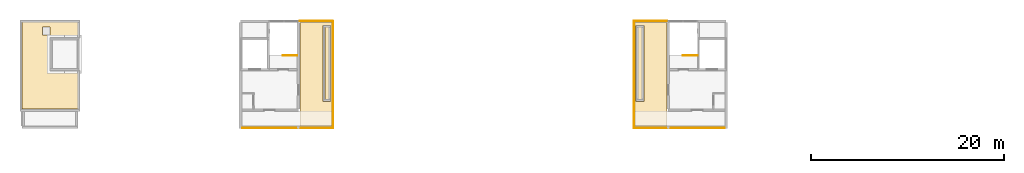
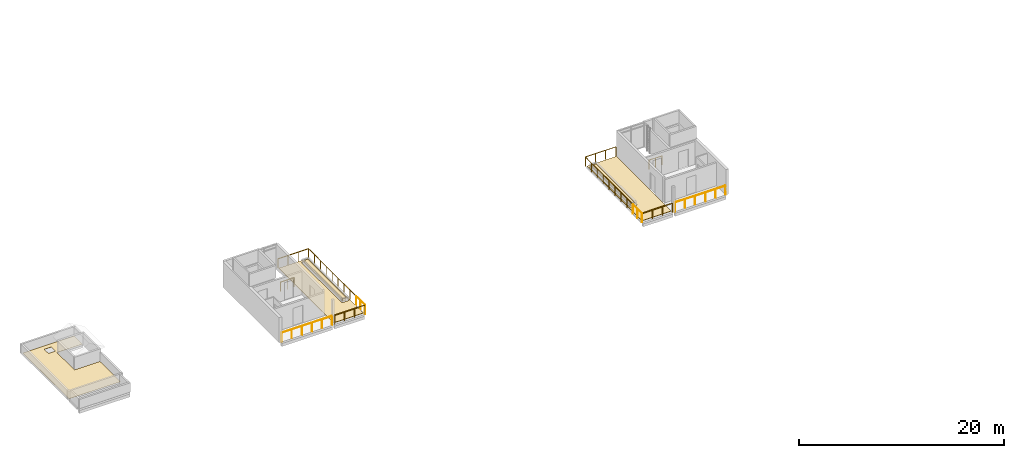
# One storey, part 14 of 15: 10 railings, 7 coverings.
"""IFC4 building model written with IfcOpenShell, lengths in metres."""

from ifc_helpers import new_model, si_unit, direction, frame, origin, origin_2d, place, context, subcontext, project, spatial, polyline, circle, outline, extrude, material, layer, layer_set, type_object, element, save


model = new_model("IFC4")

# Units and contexts
model_context = context("Model", 3, precision=1e-05, world=origin(), true_north=direction((0.0, 1.0)))
body_context = subcontext(model_context, "Body", "Model", "MODEL_VIEW")
ifc_project = project(units=[si_unit("LENGTHUNIT", "METRE"), si_unit("AREAUNIT", "SQUARE_METRE"), si_unit("VOLUMEUNIT", "CUBIC_METRE"), si_unit("PLANEANGLEUNIT", "RADIAN"), si_unit("MASSUNIT", "GRAM", prefix="KILO")], contexts=[model_context])

# Site, building, storey
site_placement = place(None, origin())
site = spatial("IfcSite", under=ifc_project, at=site_placement, CompositionType="ELEMENT")
building_placement = place(site_placement, origin())
building = spatial("IfcBuilding", under=site, at=building_placement, Name="Ridgestep Commons", CompositionType="ELEMENT")
storey_placement = place(building_placement, frame((0.0, 0.0, 45.0)))
storey = spatial("IfcBuildingStorey", under=building, at=storey_placement, Name="L15", CompositionType="ELEMENT", Elevation=45.0)

# Railings
ifc_material_1 = material(Name="Structural steel S355JR", Category="steel")
railing_type_1 = type_object("IfcRailingType", Name="Guard 1100", PredefinedType="GUARDRAIL", material=ifc_material_1)
railing_1_placement = place(storey_placement, frame((55.178955078125, 13.571044921875, 0.0)))
element("IfcRailing", 1, at=railing_1_placement, inside=storey, type_object=railing_type_1, Name="Guard TD-A3R3-GD", PredefinedType="GUARDRAIL", context=body_context, shape_type="SweptSolid", body=[
    extrude(circle(Radius=0.02392578125, at=origin_2d()), frame((0.0, 0.0, 1.076171875), z_axis=(0.0, 1.0, 0.0), x_axis=(-1.0, 0.0, 0.0)), (0.0, 0.0, 1.0), 9.303955078125),
    extrude(circle(Radius=0.02392578125, at=origin_2d()), frame((0.0, 9.303955078125, 1.076171875), z_axis=(-1.0, 0.0, 0.0), x_axis=(0.0, -1.0, 0.0)), (0.0, 0.0, 1.0), 3.432861328125),
    extrude(circle(Radius=0.02099609375, at=origin_2d()), origin(), (0.0, 0.0, 1.0), 1.052001953125),
    extrude(circle(Radius=0.02099609375, at=origin_2d()), frame((0.0, 1.1630859375, 0.0)), (0.0, 0.0, 1.0), 1.052001953125),
    extrude(circle(Radius=0.02099609375, at=origin_2d()), frame((0.0, 2.325927734375, 0.0)), (0.0, 0.0, 1.0), 1.052001953125),
    extrude(circle(Radius=0.02099609375, at=origin_2d()), frame((0.0, 3.489013671875, 0.0)), (0.0, 0.0, 1.0), 1.052001953125),
    extrude(circle(Radius=0.02099609375, at=origin_2d()), frame((0.0, 4.65185546875, 0.0)), (0.0, 0.0, 1.0), 1.052001953125),
    extrude(circle(Radius=0.02099609375, at=origin_2d()), frame((0.0, 5.81494140625, 0.0)), (0.0, 0.0, 1.0), 1.052001953125),
    extrude(circle(Radius=0.02099609375, at=origin_2d()), frame((0.0, 6.97802734375, 0.0)), (0.0, 0.0, 1.0), 1.052001953125),
    extrude(circle(Radius=0.02099609375, at=origin_2d()), frame((0.0, 8.140869140625, 0.0)), (0.0, 0.0, 1.0), 1.052001953125),
    extrude(circle(Radius=0.02099609375, at=origin_2d()), frame((0.0, 9.303955078125, 0.0)), (0.0, 0.0, 1.0), 1.052001953125),
    extrude(circle(Radius=0.02099609375, at=origin_2d()), frame((-1.144287109375, 9.303955078125, 0.0)), (0.0, 0.0, 1.0), 1.052001953125),
    extrude(circle(Radius=0.02099609375, at=origin_2d()), frame((-2.28857421875, 9.303955078125, 0.0)), (0.0, 0.0, 1.0), 1.052001953125),
    extrude(circle(Radius=0.02099609375, at=origin_2d()), frame((-3.432861328125, 9.303955078125, 0.0)), (0.0, 0.0, 1.0), 1.052001953125),
])
railing_2_placement = place(storey_placement, frame((86.4208984375, 13.571044921875, 0.0)))
element("IfcRailing", 2, at=railing_2_placement, inside=storey, type_object=railing_type_1, Name="Guard TD-A5R3-GD", PredefinedType="GUARDRAIL", context=body_context, shape_type="SweptSolid", body=[
    extrude(circle(Radius=0.02392578125, at=origin_2d()), frame((0.0, 0.0, 1.076171875), z_axis=(0.0, 1.0, 0.0), x_axis=(-1.0, 0.0, 0.0)), (0.0, 0.0, 1.0), 9.303955078125),
    extrude(circle(Radius=0.02392578125, at=origin_2d()), frame((0.0, 9.303955078125, 1.076171875), z_axis=(1.0, 0.0, 0.0), x_axis=(0.0, 1.0, 0.0)), (0.0, 0.0, 1.0), 3.43310546875),
    extrude(circle(Radius=0.02099609375, at=origin_2d()), origin(), (0.0, 0.0, 1.0), 1.052001953125),
    extrude(circle(Radius=0.02099609375, at=origin_2d()), frame((0.0, 1.1630859375, 0.0)), (0.0, 0.0, 1.0), 1.052001953125),
    extrude(circle(Radius=0.02099609375, at=origin_2d()), frame((0.0, 2.325927734375, 0.0)), (0.0, 0.0, 1.0), 1.052001953125),
    extrude(circle(Radius=0.02099609375, at=origin_2d()), frame((0.0, 3.489013671875, 0.0)), (0.0, 0.0, 1.0), 1.052001953125),
    extrude(circle(Radius=0.02099609375, at=origin_2d()), frame((0.0, 4.65185546875, 0.0)), (0.0, 0.0, 1.0), 1.052001953125),
    extrude(circle(Radius=0.02099609375, at=origin_2d()), frame((0.0, 5.81494140625, 0.0)), (0.0, 0.0, 1.0), 1.052001953125),
    extrude(circle(Radius=0.02099609375, at=origin_2d()), frame((0.0, 6.97802734375, 0.0)), (0.0, 0.0, 1.0), 1.052001953125),
    extrude(circle(Radius=0.02099609375, at=origin_2d()), frame((0.0, 8.140869140625, 0.0)), (0.0, 0.0, 1.0), 1.052001953125),
    extrude(circle(Radius=0.02099609375, at=origin_2d()), frame((0.0, 9.303955078125, 0.0)), (0.0, 0.0, 1.0), 1.052001953125),
    extrude(circle(Radius=0.02099609375, at=origin_2d()), frame((1.144287109375, 9.303955078125, 0.0)), (0.0, 0.0, 1.0), 1.052001953125),
    extrude(circle(Radius=0.02099609375, at=origin_2d()), frame((2.288818359375, 9.303955078125, 0.0)), (0.0, 0.0, 1.0), 1.052001953125),
    extrude(circle(Radius=0.02099609375, at=origin_2d()), frame((3.43310546875, 9.303955078125, 0.0)), (0.0, 0.0, 1.0), 1.052001953125),
])
railing_3_placement = place(storey_placement, frame((45.77099609375, 11.800048828125, 0.0)))
element("IfcRailing", 3, at=railing_3_placement, inside=storey, type_object=railing_type_1, Name="Gallery guard A 15.1", PredefinedType="GUARDRAIL", context=body_context, shape_type="SweptSolid", body=[
    extrude(circle(Radius=0.02392578125, at=origin_2d()), frame((0.0, 0.0, 1.076171875), z_axis=(1.0, 0.0, 0.0), x_axis=(0.0, 1.0, 0.0)), (0.0, 0.0, 1.0), 5.68310546875),
    extrude(circle(Radius=0.02099609375, at=origin_2d()), origin(), (0.0, 0.0, 1.0), 1.052001953125),
    extrude(circle(Radius=0.02099609375, at=origin_2d()), frame((1.13671875, 0.0, 0.0)), (0.0, 0.0, 1.0), 1.052001953125),
    extrude(circle(Radius=0.02099609375, at=origin_2d()), frame((2.273193359375, 0.0, 0.0)), (0.0, 0.0, 1.0), 1.052001953125),
    extrude(circle(Radius=0.02099609375, at=origin_2d()), frame((3.409912109375, 0.0, 0.0)), (0.0, 0.0, 1.0), 1.052001953125),
    extrude(circle(Radius=0.02099609375, at=origin_2d()), frame((4.54638671875, 0.0, 0.0)), (0.0, 0.0, 1.0), 1.052001953125),
    extrude(circle(Radius=0.02099609375, at=origin_2d()), frame((5.68310546875, 0.0, 0.0)), (0.0, 0.0, 1.0), 1.052001953125),
])
railing_4_placement = place(storey_placement, frame((51.74609375, 11.800048828125, 0.0)))
element("IfcRailing", 4, at=railing_4_placement, inside=storey, type_object=railing_type_1, Name="Gallery guard A 15.2", PredefinedType="GUARDRAIL", context=body_context, shape_type="SweptSolid", body=[
    extrude(circle(Radius=0.02392578125, at=origin_2d()), frame((0.0, 0.0, 1.076171875), z_axis=(1.0, 0.0, 0.0), x_axis=(0.0, 1.0, 0.0)), (0.0, 0.0, 1.0), 3.369873046875),
    extrude(circle(Radius=0.02099609375, at=origin_2d()), origin(), (0.0, 0.0, 1.0), 1.052001953125),
    extrude(circle(Radius=0.02099609375, at=origin_2d()), frame((1.123291015625, 0.0, 0.0)), (0.0, 0.0, 1.0), 1.052001953125),
    extrude(circle(Radius=0.02099609375, at=origin_2d()), frame((2.24658203125, 0.0, 0.0)), (0.0, 0.0, 1.0), 1.052001953125),
    extrude(circle(Radius=0.02099609375, at=origin_2d()), frame((3.369873046875, 0.0, 0.0)), (0.0, 0.0, 1.0), 1.052001953125),
])
railing_5_placement = place(storey_placement, frame((55.178955078125, 11.800048828125, 0.0)))
element("IfcRailing", 5, at=railing_5_placement, inside=storey, type_object=railing_type_1, Name="Gallery end guard A 15.2E", PredefinedType="GUARDRAIL", context=body_context, shape_type="SweptSolid", body=[
    extrude(circle(Radius=0.02392578125, at=origin_2d()), frame((0.0, 0.0, 1.076171875), z_axis=(0.0, 1.0, 0.0), x_axis=(-1.0, 0.0, 0.0)), (0.0, 0.0, 1.0), 1.72900390625),
    extrude(circle(Radius=0.02099609375, at=origin_2d()), origin(), (0.0, 0.0, 1.0), 1.052001953125),
    extrude(circle(Radius=0.02099609375, at=origin_2d()), frame((0.0, 0.864501953125, 0.0)), (0.0, 0.0, 1.0), 1.052001953125),
    extrude(circle(Radius=0.02099609375, at=origin_2d()), frame((0.0, 1.72900390625, 0.0)), (0.0, 0.0, 1.0), 1.052001953125),
])
railing_6_placement = place(storey_placement, frame((86.48388671875, 11.800048828125, 0.0)))
element("IfcRailing", 6, at=railing_6_placement, inside=storey, type_object=railing_type_1, Name="Gallery guard A 15.1", PredefinedType="GUARDRAIL", context=body_context, shape_type="SweptSolid", body=[
    extrude(circle(Radius=0.02392578125, at=origin_2d()), frame((0.0, 0.0, 1.076171875), z_axis=(1.0, 0.0, 0.0), x_axis=(0.0, 1.0, 0.0)), (0.0, 0.0, 1.0), 3.3701171875),
    extrude(circle(Radius=0.02099609375, at=origin_2d()), origin(), (0.0, 0.0, 1.0), 1.052001953125),
    extrude(circle(Radius=0.02099609375, at=origin_2d()), frame((1.123291015625, 0.0, 0.0)), (0.0, 0.0, 1.0), 1.052001953125),
    extrude(circle(Radius=0.02099609375, at=origin_2d()), frame((2.246826171875, 0.0, 0.0)), (0.0, 0.0, 1.0), 1.052001953125),
    extrude(circle(Radius=0.02099609375, at=origin_2d()), frame((3.3701171875, 0.0, 0.0)), (0.0, 0.0, 1.0), 1.052001953125),
])
railing_7_placement = place(storey_placement, frame((86.4208984375, 11.800048828125, 0.0)))
element("IfcRailing", 7, at=railing_7_placement, inside=storey, type_object=railing_type_1, Name="Gallery end guard A 15.1W", PredefinedType="GUARDRAIL", context=body_context, shape_type="SweptSolid", body=[
    extrude(circle(Radius=0.02392578125, at=origin_2d()), frame((0.0, 0.0, 1.076171875), z_axis=(0.0, 1.0, 0.0), x_axis=(-1.0, 0.0, 0.0)), (0.0, 0.0, 1.0), 1.72900390625),
    extrude(circle(Radius=0.02099609375, at=origin_2d()), origin(), (0.0, 0.0, 1.0), 1.052001953125),
    extrude(circle(Radius=0.02099609375, at=origin_2d()), frame((0.0, 0.864501953125, 0.0)), (0.0, 0.0, 1.0), 1.052001953125),
    extrude(circle(Radius=0.02099609375, at=origin_2d()), frame((0.0, 1.72900390625, 0.0)), (0.0, 0.0, 1.0), 1.052001953125),
])
railing_8_placement = place(storey_placement, frame((90.14599609375, 11.800048828125, 0.0)))
element("IfcRailing", 8, at=railing_8_placement, inside=storey, type_object=railing_type_1, Name="Gallery guard A 15.2", PredefinedType="GUARDRAIL", context=body_context, shape_type="SweptSolid", body=[
    extrude(circle(Radius=0.02392578125, at=origin_2d()), frame((0.0, 0.0, 1.076171875), z_axis=(1.0, 0.0, 0.0), x_axis=(0.0, 1.0, 0.0)), (0.0, 0.0, 1.0), 5.68310546875),
    extrude(circle(Radius=0.02099609375, at=origin_2d()), origin(), (0.0, 0.0, 1.0), 1.052001953125),
    extrude(circle(Radius=0.02099609375, at=origin_2d()), frame((1.13671875, 0.0, 0.0)), (0.0, 0.0, 1.0), 1.052001953125),
    extrude(circle(Radius=0.02099609375, at=origin_2d()), frame((2.273193359375, 0.0, 0.0)), (0.0, 0.0, 1.0), 1.052001953125),
    extrude(circle(Radius=0.02099609375, at=origin_2d()), frame((3.409912109375, 0.0, 0.0)), (0.0, 0.0, 1.0), 1.052001953125),
    extrude(circle(Radius=0.02099609375, at=origin_2d()), frame((4.54638671875, 0.0, 0.0)), (0.0, 0.0, 1.0), 1.052001953125),
    extrude(circle(Radius=0.02099609375, at=origin_2d()), frame((5.68310546875, 0.0, 0.0)), (0.0, 0.0, 1.0), 1.052001953125),
])

# Coverings
ifc_material_2 = material(Name="Planting soil")
ifc_layer_1 = layer(ifc_material_2, 0.35009765625)
ifc_layer_set_1 = layer_set([ifc_layer_1], Name="Planting soil 350")
covering_type_1 = type_object("IfcCoveringType", Name="Planting soil 350", PredefinedType="FLOORING", material=ifc_layer_set_1)
covering_1_placement = place(storey_placement, frame((0.0, 0.0, 0.010009765625)))
element("IfcCovering", 9, at=covering_1_placement, inside=storey, type_object=covering_type_1, Name="Planting soil A3R3", PredefinedType="FLOORING", context=body_context, shape_type="SweptSolid", body=[
    extrude(outline(polyline([(54.35009765625, 14.75), (54.75, 14.75), (54.75, 22.25), (54.35009765625, 22.25), (54.35009765625, 14.75)])), origin(), (0.0, 0.0, 1.0), 0.35009765625),
])
covering_2_placement = place(storey_placement, frame((0.0, 0.0, 0.010009765625)))
element("IfcCovering", 10, at=covering_2_placement, inside=storey, type_object=covering_type_1, Name="Planting soil A5R3", PredefinedType="FLOORING", context=body_context, shape_type="SweptSolid", body=[
    extrude(outline(polyline([(86.85009765625, 14.75), (87.25, 14.75), (87.25, 22.25), (86.85009765625, 22.25), (86.85009765625, 14.75)])), origin(), (0.0, 0.0, 1.0), 0.35009765625),
])
ifc_material_3 = material(Name="Bitumen membrane, two layer")
ifc_layer_2 = layer(ifc_material_3, 0.011962890625)
ifc_layer_set_2 = layer_set([ifc_layer_2], Name="Roof membrane 12")
covering_type_2 = type_object("IfcCoveringType", Name="Roof membrane 12", PredefinedType="ROOFING", material=ifc_layer_set_2)
covering_3_placement = place(storey_placement, origin())
element("IfcCovering", 11, at=covering_3_placement, inside=storey, type_object=covering_type_2, Name="Roof membrane A1C", PredefinedType="ROOFING", context=body_context, shape_type="SweptSolid", body=[
    extrude(outline(polyline([(22.89990234375, 13.75), (22.89990234375, 22.77490234375), (28.699951171875, 22.77490234375), (28.699951171875, 21.14990234375), (25.824951171875, 21.14990234375), (25.824951171875, 17.75), (28.699951171875, 17.75), (28.699951171875, 13.75), (22.89990234375, 13.75)]), holes=[polyline([(25.824951171875, 22.25), (25.02490234375, 22.25), (25.02490234375, 21.449951171875), (25.824951171875, 21.449951171875), (25.824951171875, 22.25)])]), origin(), (0.0, 0.0, 1.0), 0.011962890625),
])

# Railings
ifc_material_4 = material(Name="Structural steel S355JR", Category="steel")
railing_type_2 = type_object("IfcRailingType", Name="Stair guard 1100", PredefinedType="GUARDRAIL", material=ifc_material_4)
for number, where, name in (
    (12, (51.47509765625, 19.300048828125, 0.0), "L15 A3C top well guard 1"),
    (13, (93.02490234375, 19.300048828125, 0.0), "L15 A5C top well guard 1"),
):
    element("IfcRailing", number, at=place(storey_placement, frame(where)), inside=storey, type_object=railing_type_2, Name=name, PredefinedType="GUARDRAIL", context=body_context, shape_type="SweptSolid", body=[
        extrude(circle(Radius=0.02392578125, at=origin_2d()), frame((0.0, 0.0, 1.076171875), z_axis=(-1.0, 0.0, 0.0), x_axis=(0.0, -1.0, 0.0)), (0.0, 0.0, 1.0), 1.5),
        extrude(circle(Radius=0.02099609375, at=origin_2d()), origin(), (0.0, 0.0, 1.0), 1.052001953125),
        extrude(circle(Radius=0.02099609375, at=origin_2d()), frame((-0.75, 0.0, 0.0)), (0.0, 0.0, 1.0), 1.052001953125),
        extrude(circle(Radius=0.02099609375, at=origin_2d()), frame((-1.5, 0.0, 0.0)), (0.0, 0.0, 1.0), 1.052001953125),
    ])

# Coverings
ifc_material_5 = material(Name="Bitumen membrane, two layer")
ifc_layer_3 = layer(ifc_material_5, 0.010009765625)
ifc_layer_set_3 = layer_set([ifc_layer_3], Name="Terrace membrane 10")
covering_type_3 = type_object("IfcCoveringType", Name="Terrace membrane 10", PredefinedType="ROOFING", material=ifc_layer_set_3)
covering_4_placement = place(storey_placement, origin())
element("IfcCovering", 14, at=covering_4_placement, inside=storey, type_object=covering_type_3, Name="Terrace membrane A3R3", PredefinedType="ROOFING", context=body_context, shape_type="SweptSolid", body=[
    extrude(outline(polyline([(55.074951171875, 12.0), (55.074951171875, 22.75), (51.75, 22.75), (51.75, 12.0), (55.074951171875, 12.0)]), holes=[polyline([(54.949951171875, 14.550048828125), (54.949951171875, 22.449951171875), (54.14990234375, 22.449951171875), (54.14990234375, 14.550048828125), (54.949951171875, 14.550048828125)])]), origin(), (0.0, 0.0, 1.0), 0.010009765625),
])
covering_5_placement = place(storey_placement, origin())
element("IfcCovering", 15, at=covering_5_placement, inside=storey, type_object=covering_type_3, Name="Terrace membrane A5R3", PredefinedType="ROOFING", context=body_context, shape_type="SweptSolid", body=[
    extrude(outline(polyline([(89.85009765625, 12.0), (89.85009765625, 22.75), (86.52490234375, 22.75), (86.52490234375, 12.0), (89.85009765625, 12.0)]), holes=[polyline([(87.449951171875, 14.550048828125), (87.449951171875, 22.449951171875), (86.64990234375, 22.449951171875), (86.64990234375, 14.550048828125), (87.449951171875, 14.550048828125)])]), origin(), (0.0, 0.0, 1.0), 0.010009765625),
])
ifc_material_6 = material(Name="Concrete paving slab", Category="concrete")
ifc_layer_4 = layer(ifc_material_6, 0.030029296875)
ifc_layer_set_4 = layer_set([ifc_layer_4], Name="Terrace paving 30")
covering_type_4 = type_object("IfcCoveringType", Name="Terrace paving 30", PredefinedType="FLOORING", material=ifc_layer_set_4)
covering_6_placement = place(storey_placement, frame((0.0, 0.0, 0.010009765625)))
element("IfcCovering", 16, at=covering_6_placement, inside=storey, type_object=covering_type_4, Name="Terrace paving A3R3", PredefinedType="FLOORING", context=body_context, shape_type="SweptSolid", body=[
    extrude(outline(polyline([(55.074951171875, 12.0), (55.074951171875, 22.75), (51.75, 22.75), (51.75, 12.0), (55.074951171875, 12.0)]), holes=[polyline([(54.949951171875, 14.550048828125), (54.949951171875, 22.449951171875), (54.14990234375, 22.449951171875), (54.14990234375, 14.550048828125), (54.949951171875, 14.550048828125)])]), origin(), (0.0, 0.0, 1.0), 0.030029296875),
])
covering_7_placement = place(storey_placement, frame((0.0, 0.0, 0.010009765625)))
element("IfcCovering", 17, at=covering_7_placement, inside=storey, type_object=covering_type_4, Name="Terrace paving A5R3", PredefinedType="FLOORING", context=body_context, shape_type="SweptSolid", body=[
    extrude(outline(polyline([(89.85009765625, 12.0), (89.85009765625, 22.75), (86.52490234375, 22.75), (86.52490234375, 12.0), (89.85009765625, 12.0)]), holes=[polyline([(87.449951171875, 14.550048828125), (87.449951171875, 22.449951171875), (86.64990234375, 22.449951171875), (86.64990234375, 14.550048828125), (87.449951171875, 14.550048828125)])]), origin(), (0.0, 0.0, 1.0), 0.030029296875),
])

save(model, "model.ifc")
